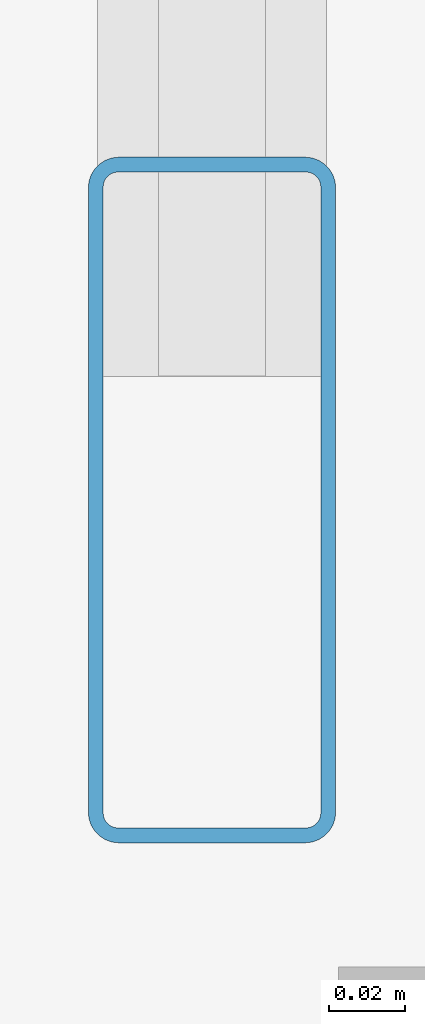
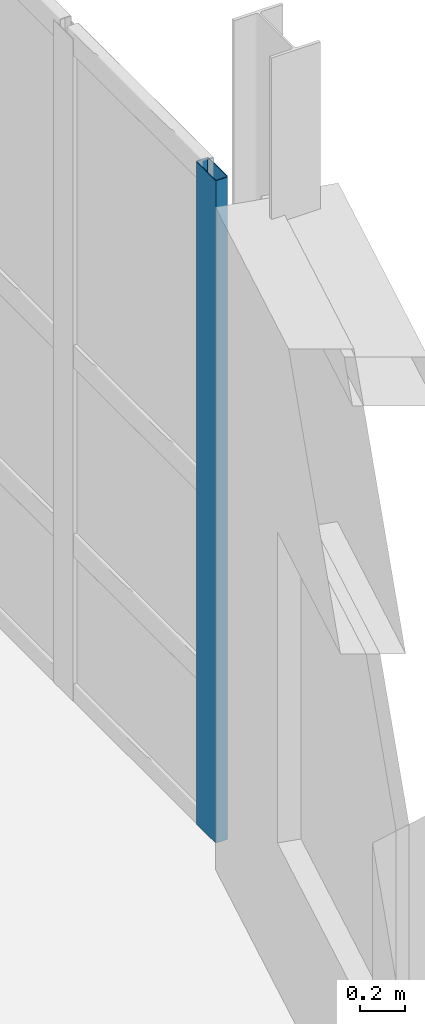
# One storey, part 44 of 123: 1 member, 1 element without a shape of its own.
"""IFC4 building model written with IfcOpenShell, lengths in metres."""

from ifc_helpers import new_model, si_unit, direction, frame, origin, origin_2d, place, context, subcontext, project, spatial, hollow_rectangle, extrude, material, material_profile, profile_set, type_object, element, aggregate, save


model = new_model("IFC4")

# Units and contexts
model_context = context("Model", 3, precision=1e-05, world=origin(), true_north=direction((0.0, 1.0)))
body_context = subcontext(model_context, "Body", "Model", "MODEL_VIEW")
ifc_project = project(units=[si_unit("LENGTHUNIT", "METRE"), si_unit("AREAUNIT", "SQUARE_METRE"), si_unit("VOLUMEUNIT", "CUBIC_METRE"), si_unit("PLANEANGLEUNIT", "RADIAN"), si_unit("MASSUNIT", "GRAM", prefix="KILO")], contexts=[model_context])

# Site, building, storey
site_placement = place(None, origin())
site = spatial("IfcSite", under=ifc_project, at=site_placement, CompositionType="ELEMENT")
building_placement = place(site_placement, origin())
building = spatial("IfcBuilding", under=site, at=building_placement, Name="Kalmorath City Hall", CompositionType="ELEMENT")
storey_placement = place(building_placement, frame((0.0, 0.0, 10.199951171875)))
storey = spatial("IfcBuildingStorey", under=building, at=storey_placement, Name="L02", CompositionType="ELEMENT", Elevation=10.199951171875)

# Curtain wall, member
ifc_material_1 = material(Name="Anodised aluminium and laminated glass", Category="aluminium")
curtain_wall_type = type_object("IfcCurtainWallType", Name="Unitised hurricane curtain wall 6544x3618 M1450", PredefinedType="NOTDEFINED", material=ifc_material_1)
curtain_wall_placement = place(storey_placement, origin())
curtain_wall = element("IfcCurtainWall", 1, at=curtain_wall_placement, inside=storey, type_object=curtain_wall_type, Name="L02 curtain wall CW-65X36M14 #139", PredefinedType="NOTDEFINED")
ifc_material_2 = material(Name="Anodised aluminium framing", Category="aluminium")
ifc_material_profile = material_profile(ifc_material_2, hollow_rectangle(XDim=0.06494140625, YDim=0.179931640625, WallThickness=0.00390625, InnerFilletRadius=0.00390625, OuterFilletRadius=0.008056640625, at=origin_2d()), Name="ALU-MUL-180X65X4")
ifc_profile_set = profile_set([ifc_material_profile], Name="Anodised aluminium framing")
member_type = type_object("IfcMemberType", Name="Curtain-wall courtyard mullion 180x65", PredefinedType="MULLION", material=ifc_profile_set)
member_placement = place(storey_placement, frame((28.639892578125, 79.4990234375, 0.0), z_axis=(0.0, 0.0, 1.0), x_axis=(1.0, 0.0, 0.0)))
member = element("IfcMember", 2, at=member_placement, type_object=member_type, Name="CW-65X36M14 mullion 6", PredefinedType="MULLION", context=body_context, shape_type="SweptSolid", body=[
    extrude(hollow_rectangle(XDim=0.06494140625, YDim=0.179931640625, WallThickness=0.00390625, InnerFilletRadius=0.00390625, OuterFilletRadius=0.008056640625, at=origin_2d()), origin(), (0.0, 0.0, 1.0), 3.6181640625),
])
aggregate(curtain_wall, [member])

save(model, "model.ifc")
